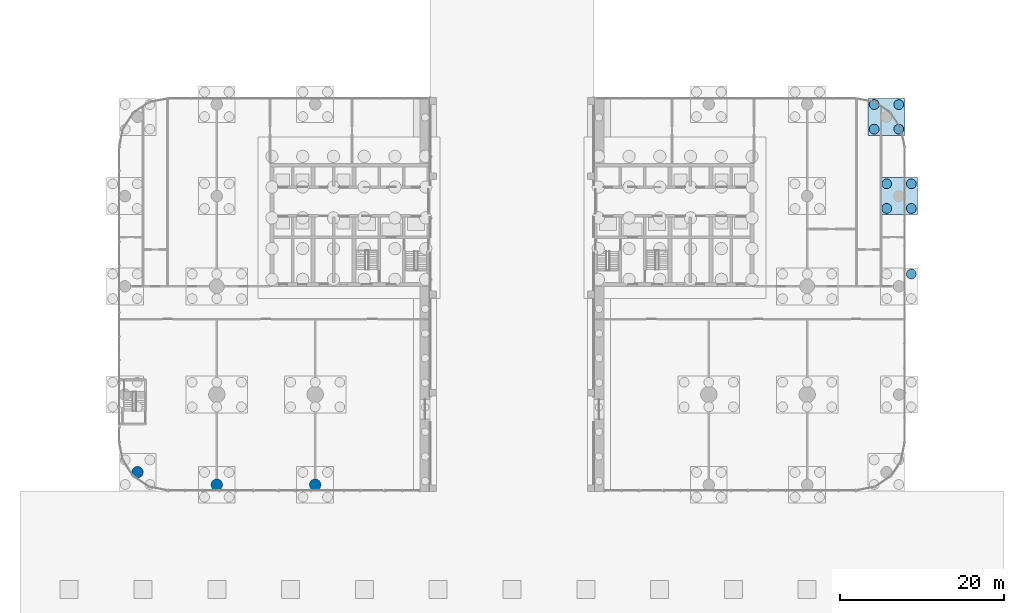
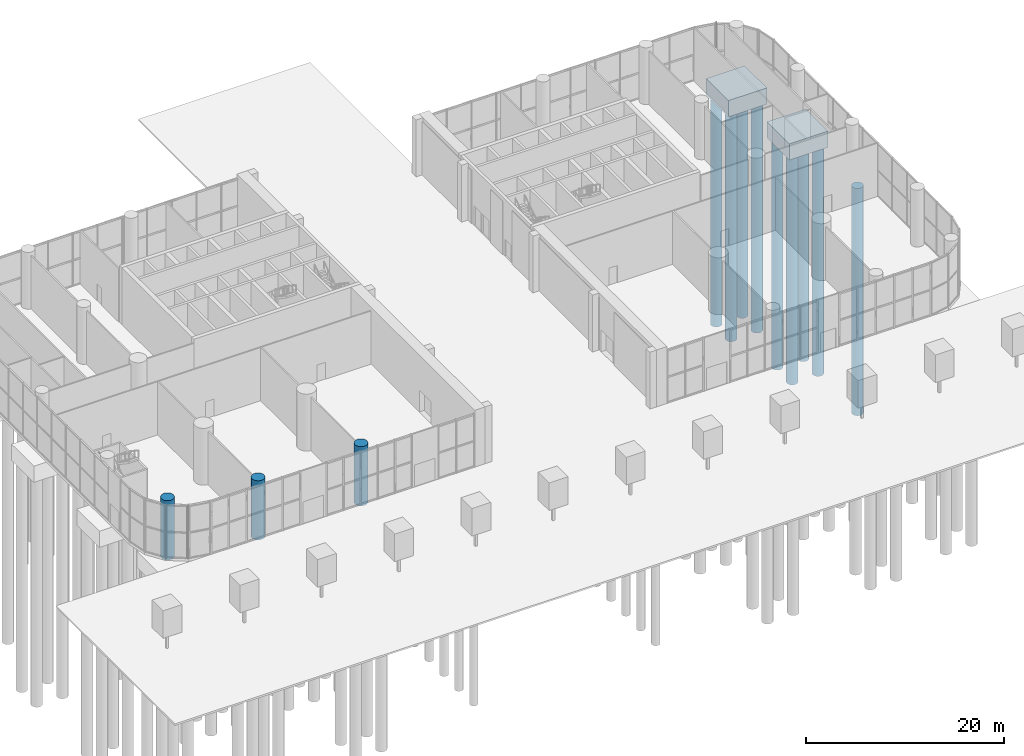
# One storey, part 2 of 26: 9 piles, 3 columns, 2 footings.
"""IFC4 building model written with IfcOpenShell, lengths in metres."""

import ifcopenshell
import ifcopenshell.guid

model = None  # the IFC model being written
_history = None  # IfcOwnerHistory: only IFC2X3 demands one
_inside = {}  # id of a spatial element -> (the spatial element, [elements in it])
_under = {}  # id of a project, library or spatial element -> (it, [spatial elements below it])
_declared = {}  # id of a project -> (the project, [libraries it declares])
_typed = {}  # id of a type object -> (the type object, [elements of that type])
_made_of = {}  # id of a material, layer set ... -> (it, [elements and type objects made of it])


def new_model(schema):
    """Start an empty IFC model of exactly this schema.

    Asked for "IFC4X3", IfcOpenShell would pick the latest addendum, in which some entities
    have other attributes; the version numbers below select the first issue.
    IFC2X3 requires an IfcOwnerHistory on every rooted entity: one is made here for all.
    """
    global model, _history
    if schema == "IFC4X3":
        model = ifcopenshell.file(schema_version=(4, 3, 0, 0))
    else:
        model = ifcopenshell.file(schema=schema)
    _inside.clear()
    _under.clear()
    _declared.clear()
    _typed.clear()
    _made_of.clear()
    _history = None
    if model.schema == "IFC2X3":
        org = make("IfcOrganization", Name="unknown")
        user = make(
            "IfcPersonAndOrganization",
            ThePerson=make("IfcPerson", FamilyName="unknown"),
            TheOrganization=org,
        )
        app = make(
            "IfcApplication",
            ApplicationDeveloper=org,
            Version="unknown",
            ApplicationFullName="unknown",
            ApplicationIdentifier="unknown",
        )
        _history = make(
            "IfcOwnerHistory",
            OwningUser=user,
            OwningApplication=app,
            ChangeAction="ADDED",
            CreationDate=0,
        )
    return model


def make(cls, **values):
    """One entity of the class cls with the attributes given. An attribute that is None is left unset."""
    return model.create_entity(
        cls, **{name: value for name, value in values.items() if value is not None}
    )


def rooted(cls, **values):
    """An entity with a GlobalId (a new one), such as an element, a storey or a relation."""
    return make(cls, GlobalId=ifcopenshell.guid.new(), OwnerHistory=_history, **values)


def si_unit(unit_type, name, prefix=None):
    """IfcSIUnit, for example si_unit("LENGTHUNIT", "METRE", prefix="MILLI")."""
    return make("IfcSIUnit", UnitType=unit_type, Prefix=prefix, Name=name)


def assignment(units):
    """IfcUnitAssignment: the units of a project."""
    return None if units is None else make("IfcUnitAssignment", Units=units)


def point(xyz):
    """IfcCartesianPoint."""
    return None if xyz is None else make("IfcCartesianPoint", Coordinates=xyz)


def direction(xyz):
    """IfcDirection."""
    return None if xyz is None else make("IfcDirection", DirectionRatios=xyz)


def frame(location, z_axis=None, x_axis=None):
    """IfcAxis2Placement3D, a coordinate frame: its origin and axes. An axis left out is left unset."""
    return make(
        "IfcAxis2Placement3D",
        Location=point(location),
        Axis=direction(z_axis),
        RefDirection=direction(x_axis),
    )


def frame_2d(location, x_axis=None):
    """IfcAxis2Placement2D, a coordinate frame in the plane: its origin and x axis."""
    return make(
        "IfcAxis2Placement2D", Location=point(location), RefDirection=direction(x_axis)
    )


def origin():
    """The frame at (0, 0, 0) with its axes left unset."""
    return frame((0.0, 0.0, 0.0))


def origin_2d():
    """The frame at (0, 0) in the plane with its x axis left unset."""
    return frame_2d((0.0, 0.0))


def place(relative_to, where):
    """IfcLocalPlacement: puts the frame where relative to a parent placement (None: the world)."""
    return make(
        "IfcLocalPlacement", PlacementRelTo=relative_to, RelativePlacement=where
    )


def context(
    kind, dimensions, precision=None, world=None, true_north=None, identifier=None
):
    """IfcGeometricRepresentationContext, for example the 3D "Model" context."""
    return make(
        "IfcGeometricRepresentationContext",
        ContextIdentifier=identifier,
        ContextType=kind,
        CoordinateSpaceDimension=dimensions,
        Precision=precision,
        WorldCoordinateSystem=world,
        TrueNorth=true_north,
    )


def subcontext(parent, identifier, kind, view, scale=None):
    """IfcGeometricRepresentationSubContext, for example "Body" below "Model"."""
    return make(
        "IfcGeometricRepresentationSubContext",
        ContextIdentifier=identifier,
        ContextType=kind,
        ParentContext=parent,
        TargetScale=scale,
        TargetView=view,
    )


def project(units=None, contexts=None):
    """IfcProject with its units and contexts."""
    return rooted(
        "IfcProject",
        Name="project",
        RepresentationContexts=contexts,
        UnitsInContext=assignment(units),
    )


def spatial(cls, under=None, at=None, **own):
    """A site, building, storey or space (cls), placed at a placement, below another one or the project."""
    s = rooted(cls, ObjectPlacement=at, **own)
    if under is not None:
        _under.setdefault(under.id(), (under, []))[1].append(s)
    return s


def profile(cls, at=None, kind="AREA", **sizes):
    """A parametric profile (cls). Its sizes go by their IFC names, for example OverallWidth=200.0."""
    return make(cls, ProfileType=kind, Position=at, **sizes)


def rectangle(**sizes):
    """IfcRectangleProfileDef."""
    return profile("IfcRectangleProfileDef", **sizes)


def circle(**sizes):
    """IfcCircleProfileDef."""
    return profile("IfcCircleProfileDef", **sizes)


def extrude(swept, where, along, depth):
    """IfcExtrudedAreaSolid: the profile swept, set in the frame where, extruded along a direction by depth."""
    return make(
        "IfcExtrudedAreaSolid",
        SweptArea=swept,
        Position=where,
        ExtrudedDirection=direction(along),
        Depth=depth,
    )


def shape(context_of_items, identifier, shape_type, items):
    """IfcShapeRepresentation: the items that make up one representation, for example the "Body"."""
    return make(
        "IfcShapeRepresentation",
        ContextOfItems=context_of_items,
        RepresentationIdentifier=identifier,
        RepresentationType=shape_type,
        Items=items,
    )


def material(Name=None, Category=None):
    """IfcMaterial."""
    return make("IfcMaterial", Name=Name, Category=Category)


def material_profile(
    of_material, cross_section, Name=None, Category=None, Priority=None
):
    """IfcMaterialProfile: a cross section and its material."""
    return make(
        "IfcMaterialProfile",
        Name=Name,
        Material=of_material,
        Profile=cross_section,
        Priority=Priority,
        Category=Category,
    )


def profile_set(profiles, Name=None, composite=None):
    """IfcMaterialProfileSet."""
    return make(
        "IfcMaterialProfileSet",
        Name=Name,
        MaterialProfiles=profiles,
        CompositeProfile=composite,
    )


def made_of(thing, what):
    """Note that an element or type object is made of a material, layer set ...; save() writes the relation."""
    if what is not None:
        _made_of.setdefault(what.id(), (what, []))[1].append(thing)
    return thing


def type_object(cls, material=None, **own):
    """A type object (cls), such as IfcWallType, which elements share."""
    return made_of(rooted(cls, **own), material)


def element(
    cls,
    number,
    at=None,
    inside=None,
    cuts=None,
    type_object=None,
    material=None,
    context=None,
    identifier="Body",
    shape_type=None,
    held_by="IfcProductDefinitionShape",
    body=None,
    shapes=None,
    **own,
):
    """One element of the class cls, such as IfcWall. Its Tag is "e" and its number.

    at: its placement. inside: the storey or other place that contains it. cuts: it is an
    opening in that element (IfcRelVoidsElement). A single representation is given by context,
    identifier, shape_type and body (its items); several are given by shapes. held_by: the class
    of the entity that holds the representations. save() writes the other relations.
    """
    e = rooted(cls, Tag="e%d" % number, ObjectPlacement=at, **own)
    if body is not None:
        shapes = [shape(context, identifier, shape_type, body)]
    if shapes is not None:
        e.Representation = make(held_by, Representations=shapes)
    if inside is not None:
        _inside.setdefault(inside.id(), (inside, []))[1].append(e)
    if cuts is not None:
        rooted(
            "IfcRelVoidsElement", RelatingBuildingElement=cuts, RelatedOpeningElement=e
        )
    if type_object is not None:
        _typed.setdefault(type_object.id(), (type_object, []))[1].append(e)
    return made_of(e, material)


def aggregate(whole, parts):
    """IfcRelAggregates: a whole, such as a stair, and the parts it consists of."""
    return rooted("IfcRelAggregates", RelatingObject=whole, RelatedObjects=parts)


def save(model, path):
    """Write the relations noted so far, then the file.

    IfcRelAggregates (storeys below a building ...), IfcRelContainedInSpatialStructure (elements
    in a storey), IfcRelDefinesByType, IfcRelAssociatesMaterial and IfcRelDeclares: one each for
    every whole, place, type object, material and project.
    """
    for whole, parts in _under.values():
        aggregate(whole, parts)
    for where, things in _inside.values():
        rooted(
            "IfcRelContainedInSpatialStructure",
            RelatedElements=things,
            RelatingStructure=where,
        )
    for kind, things in _typed.values():
        rooted("IfcRelDefinesByType", RelatedObjects=things, RelatingType=kind)
    for what, things in _made_of.values():
        rooted("IfcRelAssociatesMaterial", RelatedObjects=things, RelatingMaterial=what)
    for by, libraries in _declared.values():
        rooted("IfcRelDeclares", RelatingContext=by, RelatedDefinitions=libraries)
    model.write(path)


model = new_model("IFC4")

# Units and contexts
model_context = context("Model", 3, precision=1e-05, world=origin(), true_north=direction((0.0, 1.0)))
body_context = subcontext(model_context, "Body", "Model", "MODEL_VIEW")
ifc_project = project(units=[si_unit("LENGTHUNIT", "METRE"), si_unit("AREAUNIT", "SQUARE_METRE"), si_unit("VOLUMEUNIT", "CUBIC_METRE"), si_unit("PLANEANGLEUNIT", "RADIAN"), si_unit("MASSUNIT", "GRAM", prefix="KILO")], contexts=[model_context])

# Site, building, storey
site_placement = place(None, origin())
site = spatial("IfcSite", under=ifc_project, at=site_placement, CompositionType="ELEMENT")
building_placement = place(site_placement, origin())
building = spatial("IfcBuilding", under=site, at=building_placement, Name="Torana Hotel and Residences", CompositionType="ELEMENT")
storey_placement = place(building_placement, origin())
storey = spatial("IfcBuildingStorey", under=building, at=storey_placement, Name="L00", CompositionType="ELEMENT", Elevation=0.0)

# Piles
ifc_material_1 = material(Name="Concrete C50/60", Category="concrete")
pile_type = type_object("IfcPileType", Name="BORED PILE D1200", PredefinedType="BORED", material=ifc_material_1)
for number, where, z_axis, x_axis, name in (
    (1, (44.166015625, 4.166015625, -2.300048828125), (0.0, 0.0, -1.0), (1.0, 0.0, 0.0), "Bored pile PC1"),
    (2, (47.166015625, 4.166015625, -2.300048828125), (0.0, 0.0, -1.0), (1.0, 0.0, 0.0), "Bored pile PC1"),
    (3, (44.166015625, 7.166015625, -2.300048828125), (0.0, 0.0, -1.0), (1.0, 0.0, 0.0), "Bored pile PC1"),
    (4, (47.166015625, 7.166015625, -2.300048828125), (0.0, 0.0, -1.0), (1.0, 0.0, 0.0), "Bored pile PC1"),
    (5, (48.699951171875, -13.5, -2.300048828125), (0.0, 0.0, -1.0), (1.0, 0.0, 0.0), "Bored pile PC1"),
    (6, (45.699951171875, -5.5, -2.300048828125), (0.0, 0.0, -1.0), (1.0, 0.0, 0.0), "Bored pile PC1"),
    (7, (48.699951171875, -5.5, -2.300048828125), (0.0, 0.0, -1.0), (1.0, 0.0, 0.0), "Bored pile PC1"),
    (8, (45.699951171875, -2.5, -2.300048828125), (0.0, 0.0, -1.0), (1.0, 0.0, 0.0), "Bored pile PC1"),
    (9, (48.699951171875, -2.5, -2.300048828125), (0.0, 0.0, -1.0), (1.0, 0.0, 0.0), "Bored pile PC1"),
):
    element("IfcPile", number, at=place(storey_placement, frame(where, z_axis=z_axis, x_axis=x_axis)), inside=storey, type_object=pile_type, Name=name, PredefinedType="BORED", context=body_context, shape_type="SweptSolid", body=[
        extrude(circle(Radius=0.60009765625, at=origin_2d()), origin(), (0.0, 0.0, 1.0), 28.0),
    ])

# Footings
ifc_material_2 = material(Name="Concrete C50/60", Category="concrete")
footing_type = type_object("IfcFootingType", Name="PILE CAP PC1 4.50x4.50", PredefinedType="PILE_CAP", material=ifc_material_2)
for number, where, z_axis, x_axis, name in (
    (10, (45.666015625, 5.666015625, -2.300048828125), (0.0, 0.0, 1.0), (1.0, 0.0, 0.0), "Pile cap PC1"),
    (11, (47.199951171875, -4.0, -2.300048828125), (0.0, 0.0, 1.0), (1.0, 0.0, 0.0), "Pile cap PC1"),
):
    element("IfcFooting", number, at=place(storey_placement, frame(where, z_axis=z_axis, x_axis=x_axis)), inside=storey, type_object=footing_type, Name=name, PredefinedType="PILE_CAP", context=body_context, shape_type="SweptSolid", body=[
        extrude(rectangle(XDim=4.5, YDim=4.5, at=origin_2d()), origin(), (0.0, 0.0, 1.0), 2.0),
    ])

# Columns
ifc_material_3 = material(Name="Concrete C70/85", Category="concrete")
ifc_material_profile = material_profile(ifc_material_3, circle(Radius=0.699951171875, at=origin_2d()), Name="RCD 1400")
ifc_profile_set = profile_set([ifc_material_profile], Name="Concrete C70/85")
column_type = type_object("IfcColumnType", Name="COLUMN RCD 1400 C70/85", PredefinedType="COLUMN", material=ifc_profile_set)
for number, where, z_axis, x_axis, name in (
    (12, (-45.666015625, -37.666015625, -0.300048828125), (0.0, 0.0, 1.0), (1.0, 0.0, 0.0), "Column L00"),
    (13, (-36.0, -39.199951171875, -0.300048828125), (0.0, 0.0, 1.0), (1.0, 0.0, 0.0), "Column L00"),
    (14, (-24.0, -39.199951171875, -0.300048828125), (0.0, 0.0, 1.0), (1.0, 0.0, 0.0), "Column L00"),
):
    element("IfcColumn", number, at=place(storey_placement, frame(where, z_axis=z_axis, x_axis=x_axis)), inside=storey, type_object=column_type, Name=name, PredefinedType="COLUMN", context=body_context, shape_type="SweptSolid", body=[
        extrude(circle(Radius=0.699951171875, at=origin_2d()), origin(), (0.0, 0.0, 1.0), 7.300048828125),
    ])

save(model, "model.ifc")
